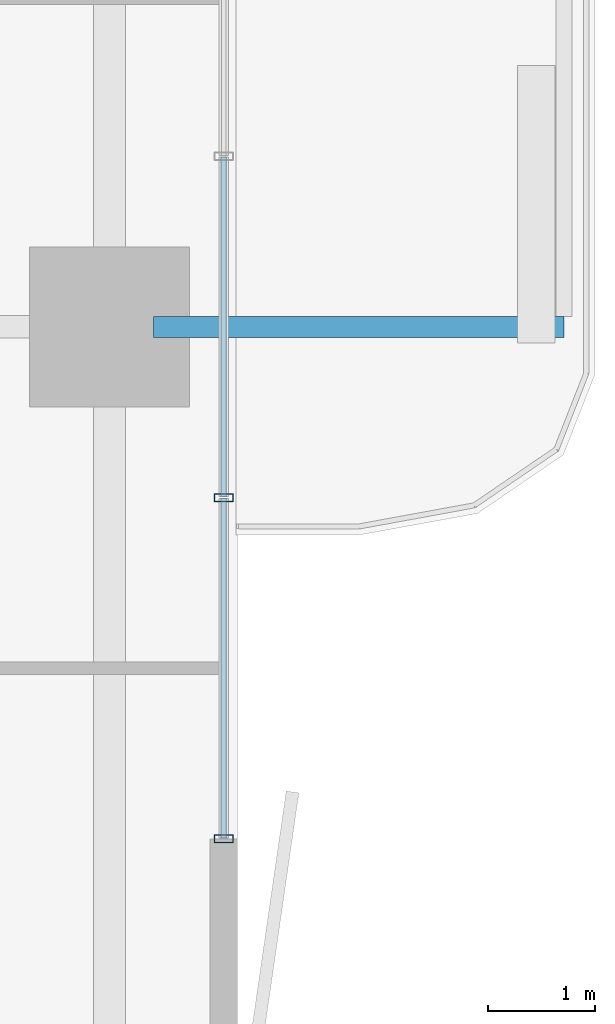
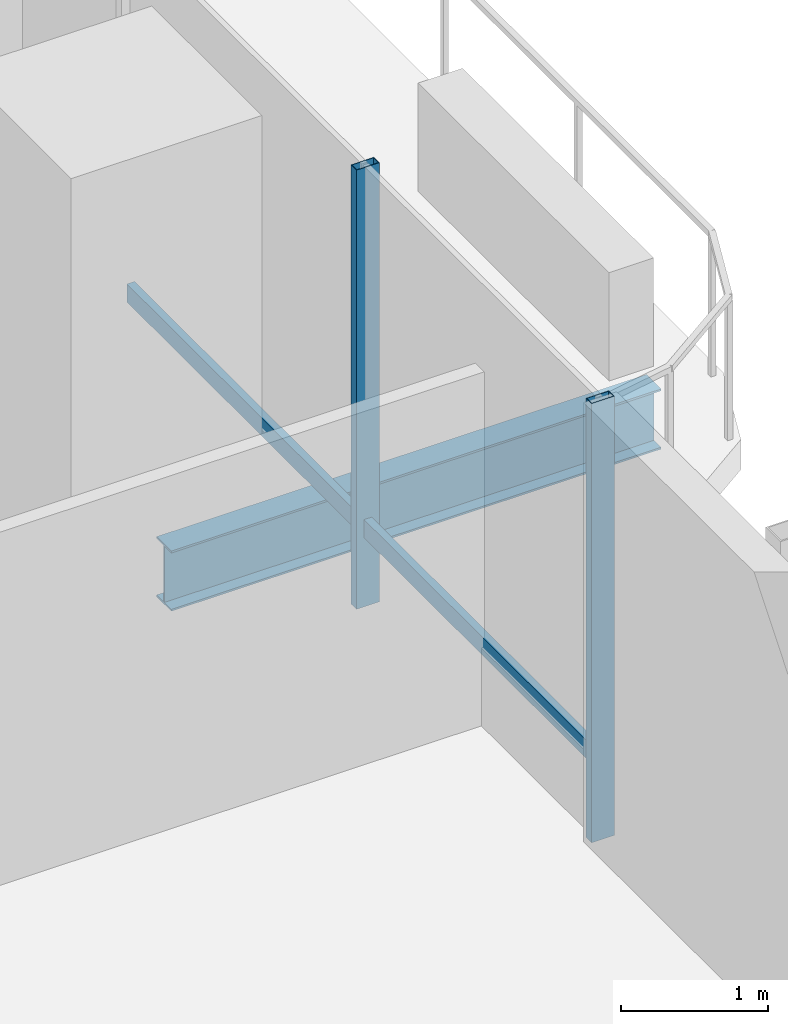
# One storey, part 8 of 24: 4 members, 1 beam, 1 element without a shape of its own.
"""IFC4 building model written with IfcOpenShell, lengths in metres."""

from ifc_helpers import new_model, si_unit, direction, frame, origin, origin_2d, place, context, subcontext, project, spatial, hollow_rectangle, i_section, extrude, material, layer, layer_set, material_profile, profile_set, type_object, element, aggregate, save


model = new_model("IFC4")

# Units and contexts
model_context = context("Model", 3, precision=1e-05, world=origin(), true_north=direction((0.0, 1.0)))
body_context = subcontext(model_context, "Body", "Model", "MODEL_VIEW")
ifc_project = project(units=[si_unit("LENGTHUNIT", "METRE"), si_unit("AREAUNIT", "SQUARE_METRE"), si_unit("VOLUMEUNIT", "CUBIC_METRE"), si_unit("PLANEANGLEUNIT", "RADIAN"), si_unit("MASSUNIT", "GRAM", prefix="KILO")], contexts=[model_context])

# Site, building, storey
site_placement = place(None, origin())
site = spatial("IfcSite", under=ifc_project, at=site_placement, CompositionType="ELEMENT")
building_placement = place(site_placement, origin())
building = spatial("IfcBuilding", under=site, at=building_placement, Name="Belovzor Exchange Tower", CompositionType="ELEMENT")
storey_placement = place(building_placement, frame((0.0, 0.0, 92.39990234375)))
storey = spatial("IfcBuildingStorey", under=building, at=storey_placement, Name="L22", CompositionType="ELEMENT", Elevation=92.39990234375)

# Beam
ifc_material_1 = material(Name="Steel S355", Category="steel")
ifc_material_profile_1 = material_profile(ifc_material_1, i_section(OverallWidth=0.199951171875, OverallDepth=0.5, WebThickness=0.01025390625, FlangeThickness=0.01611328125, at=origin_2d()))
ifc_profile_set_1 = profile_set([ifc_material_profile_1], Name="Steel S355")
beam_type = type_object("IfcBeamType", Name="Planted Balcony Cantilever Beam IPE 500", PredefinedType="BEAM", material=ifc_profile_set_1)
beam_placement = place(storey_placement, frame((55.9130859375, 28.800048828125, -0.5), z_axis=(1.0, 0.0, 0.0), x_axis=(0.0, 1.0, 0.0)))
element("IfcBeam", 1, at=beam_placement, inside=storey, type_object=beam_type, Name="BC-500 Planted Balcony Cantilever Beam IPE 500", PredefinedType="BEAM", context=body_context, shape_type="SweptSolid", body=[
    extrude(i_section(OverallWidth=0.199951171875, OverallDepth=0.5, WebThickness=0.01025390625, FlangeThickness=0.01611328125, at=origin_2d()), origin(), (0.0, 0.0, 1.0), 3.849853515625),
])

# Curtain wall, members
ifc_material_2 = material(Name="Anodised Aluminium Framing", Category="aluminium")
ifc_layer = layer(ifc_material_2, 0.179931640625)
ifc_layer_set = layer_set([ifc_layer], Name="Anodised Aluminium Framing")
curtain_wall_type = type_object("IfcCurtainWallType", Name="Recessed Loggia Low-Iron Triple-Glazed Curtain Wall", PredefinedType="NOTDEFINED", material=ifc_layer_set)
curtain_wall_placement = place(storey_placement, origin())
curtain_wall = element("IfcCurtainWall", 2, at=curtain_wall_placement, inside=storey, type_object=curtain_wall_type, Name="CW3 Recessed Loggia Low-Iron Triple-Glazed Curtain Wall L22", PredefinedType="NOTDEFINED")
ifc_material_3 = material(Name="Steel S355", Category="steel")
ifc_material_profile_2 = material_profile(ifc_material_3, hollow_rectangle(XDim=0.074951171875, YDim=0.179931640625, WallThickness=0.0048828125, at=origin_2d()))
ifc_profile_set_2 = profile_set([ifc_material_profile_2], Name="Steel S355")
member_type_1 = type_object("IfcMemberType", Name="Thermally Broken Curtain Wall Mullion 180x75", PredefinedType="MULLION", material=ifc_profile_set_2)
member_1_placement = place(storey_placement, frame((56.570068359375, 27.199951171875, 0.0), z_axis=(0.0, 0.0, 1.0), x_axis=(0.0, -1.0, 0.0)))
member_1 = element("IfcMember", 3, at=member_1_placement, type_object=member_type_1, Name="CW-M180 Curtain Wall Mullion 3", PredefinedType="MULLION", context=body_context, shape_type="SweptSolid", body=[
    extrude(hollow_rectangle(XDim=0.074951171875, YDim=0.179931640625, WallThickness=0.0048828125, at=origin_2d()), origin(), (0.0, 0.0, 1.0), 3.650146484375),
])
member_2_placement = place(storey_placement, frame((56.570068359375, 24.0, 0.0), z_axis=(0.0, 0.0, 1.0), x_axis=(0.0, -1.0, 0.0)))
member_2 = element("IfcMember", 4, at=member_2_placement, type_object=member_type_1, Name="CW-M180 Curtain Wall Mullion 4", PredefinedType="MULLION", context=body_context, shape_type="SweptSolid", body=[
    extrude(hollow_rectangle(XDim=0.074951171875, YDim=0.179931640625, WallThickness=0.0048828125, at=origin_2d()), origin(), (0.0, 0.0, 1.0), 3.650146484375),
])
ifc_material_4 = material(Name="Steel S355", Category="steel")
ifc_material_profile_3 = material_profile(ifc_material_4, hollow_rectangle(XDim=0.06005859375, YDim=0.14990234375, WallThickness=0.00390625, at=origin_2d()))
ifc_profile_set_3 = profile_set([ifc_material_profile_3], Name="Steel S355")
member_type_2 = type_object("IfcMemberType", Name="Thermally Broken Curtain Wall Transom 150x60", PredefinedType="USERDEFINED", material=ifc_profile_set_3)
member_3_placement = place(storey_placement, frame((56.570068359375, 30.39208984375, 0.650146484375), z_axis=(0.0, -1.0, 0.0), x_axis=(1.0, 0.0, 0.0)))
member_3 = element("IfcMember", 5, at=member_3_placement, type_object=member_type_2, Name="CW-T150 Curtain Wall Transom 2", ObjectType="TRANSOM", PredefinedType="USERDEFINED", context=body_context, shape_type="SweptSolid", body=[
    extrude(hollow_rectangle(XDim=0.06005859375, YDim=0.14990234375, WallThickness=0.00390625, at=origin_2d()), origin(), (0.0, 0.0, 1.0), 3.18408203125),
])
member_4_placement = place(storey_placement, frame((56.570068359375, 27.19189453125, 0.650146484375), z_axis=(0.0, -1.0, 0.0), x_axis=(1.0, 0.0, 0.0)))
member_4 = element("IfcMember", 6, at=member_4_placement, type_object=member_type_2, Name="CW-T150 Curtain Wall Transom 3", ObjectType="TRANSOM", PredefinedType="USERDEFINED", context=body_context, shape_type="SweptSolid", body=[
    extrude(hollow_rectangle(XDim=0.06005859375, YDim=0.14990234375, WallThickness=0.00390625, at=origin_2d()), origin(), (0.0, 0.0, 1.0), 3.183837890625),
])
aggregate(curtain_wall, [member_1, member_2, member_3, member_4])

save(model, "model.ifc")
